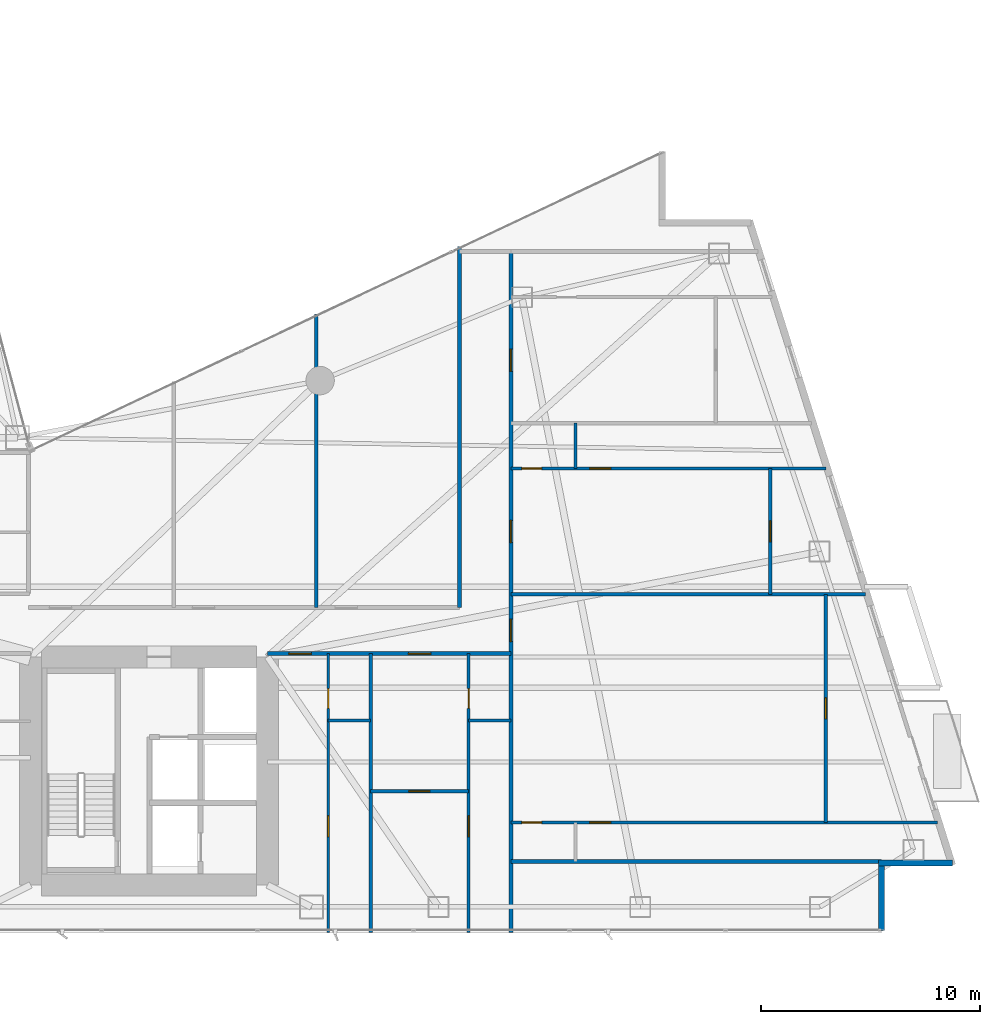
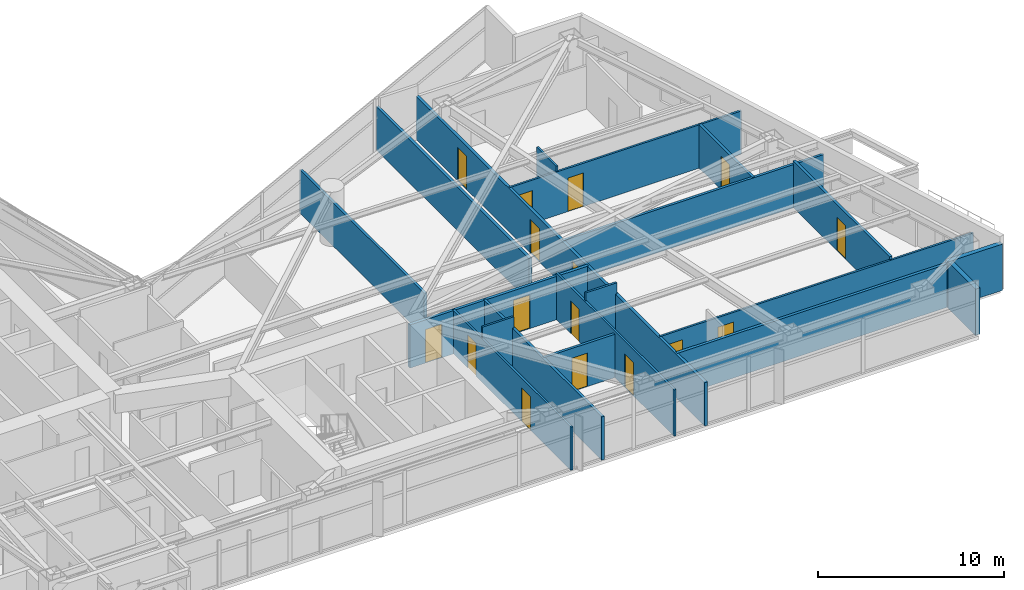
# One storey, part 24 of 30: 19 walls, 16 doors, 16 openings.
"""IFC4 building model written with IfcOpenShell, lengths in metres."""

from ifc_helpers import new_model, si_unit, direction, frame, frame_2d, origin, place, context, subcontext, project, spatial, rectangle, extrude, material, layer, layer_set, type_object, element, fill, save


model = new_model("IFC4")

# Units and contexts
model_context = context("Model", 3, precision=1e-05, world=origin(), true_north=direction((0.0, 1.0)))
body_context = subcontext(model_context, "Body", "Model", "MODEL_VIEW")
ifc_project = project(units=[si_unit("LENGTHUNIT", "METRE"), si_unit("AREAUNIT", "SQUARE_METRE"), si_unit("VOLUMEUNIT", "CUBIC_METRE"), si_unit("PLANEANGLEUNIT", "RADIAN"), si_unit("MASSUNIT", "GRAM", prefix="KILO")], contexts=[model_context])

# Site, building, storey
site_placement = place(None, origin())
site = spatial("IfcSite", under=ifc_project, at=site_placement, CompositionType="ELEMENT")
building_placement = place(site_placement, origin())
building = spatial("IfcBuilding", under=site, at=building_placement, Name="Calvorn Quay Hotel", CompositionType="ELEMENT")
storey_placement = place(building_placement, frame((0.0, 0.0, 77.39990234375)))
storey = spatial("IfcBuildingStorey", under=building, at=storey_placement, Name="L18", CompositionType="ELEMENT", Elevation=77.39990234375)

# Wall, openings, doors
ifc_material_1 = material(Name="Acoustic Fireboard Steel-Stud Partition", Category="steel")
ifc_layer_1 = layer(ifc_material_1, 0.179931640625)
ifc_layer_set_1 = layer_set([ifc_layer_1], Name="WL-CORR-FIRE-180")
wall_type_1 = type_object("IfcWallType", Name="WL-CORR-FIRE-180", PredefinedType="PARTITIONING", material=ifc_layer_set_1)
wall_1_placement = place(storey_placement, frame((32.39990234375, 15.14990234375, 0.0), z_axis=(0.0, 0.0, 1.0), x_axis=(1.0, 0.0, 0.0)))
wall_1 = element("IfcWall", 1, at=wall_1_placement, inside=storey, type_object=wall_type_1, Name="Partition Wall L18-WL-CORR-SE-S", PredefinedType="PARTITIONING", context=body_context, shape_type="SweptSolid", body=[
    extrude(rectangle(XDim=11.10009765625, YDim=0.179931640625, at=frame_2d((5.550048828125, 0.0))), origin(), (0.0, 0.0, 1.0), 2.840087890625),
])
opening_1_placement = place(wall_1_placement, frame((0.97998046875, 0.0, 0.0)))
opening_1 = element("IfcOpeningElement", 2, at=opening_1_placement, cuts=wall_1, Name="Opening D-L18-U06", PredefinedType="OPENING", context=body_context, shape_type="SweptSolid", body=[
    extrude(rectangle(XDim=1.02001953125, YDim=2.199951171875, at=frame_2d((0.510009765625, 1.10009765625))), frame((0.0, 0.099853515625, 0.0), z_axis=(0.0, -1.0, 0.0), x_axis=(1.0, 0.0, 0.0)), (0.0, 0.0, 1.0), 0.199951171875),
])
opening_2_placement = place(wall_1_placement, frame((6.429931640625, 0.0, 0.0)))
opening_2 = element("IfcOpeningElement", 3, at=opening_2_placement, cuts=wall_1, Name="Opening D-L18-U07", PredefinedType="OPENING", context=body_context, shape_type="SweptSolid", body=[
    extrude(rectangle(XDim=1.02001953125, YDim=2.199951171875, at=frame_2d((0.510009765625, 1.10009765625))), frame((0.0, 0.099853515625, 0.0), z_axis=(0.0, -1.0, 0.0), x_axis=(1.0, 0.0, 0.0)), (0.0, 0.0, 1.0), 0.199951171875),
])
ifc_material_2 = material(Name="Solid-Core Walnut Veneer Hotel Fire Door")
door_type_1 = type_object("IfcDoorType", Name="DR-GUEST-ENTRY-1020", OperationType="NOTDEFINED", PredefinedType="DOOR", material=ifc_material_2)
door_1_placement = place(opening_1_placement, origin())
door_1 = element("IfcDoor", 4, at=door_1_placement, inside=storey, type_object=door_type_1, Name="South-East Unit Door U06 (L18)", OperationType="SINGLE_SWING_LEFT", OverallHeight=2.199951171875, OverallWidth=1.02001953125, PredefinedType="DOOR", context=body_context, shape_type="SweptSolid", body=[
    extrude(rectangle(XDim=1.02001953125, YDim=2.199951171875, at=frame_2d((0.510009765625, 1.10009765625))), frame((0.0, 0.02490234375, 0.0), z_axis=(0.0, -1.0, 0.0), x_axis=(1.0, 0.0, 0.0)), (0.0, 0.0, 1.0), 0.050048828125),
])
fill(opening_1, door_1)
door_2_placement = place(opening_2_placement, origin())
door_2 = element("IfcDoor", 5, at=door_2_placement, inside=storey, type_object=door_type_1, Name="South-East Unit Door U07 (L18)", OperationType="SINGLE_SWING_RIGHT", OverallHeight=2.199951171875, OverallWidth=1.02001953125, PredefinedType="DOOR", context=body_context, shape_type="SweptSolid", body=[
    extrude(rectangle(XDim=1.02001953125, YDim=2.199951171875, at=frame_2d((0.510009765625, 1.10009765625))), frame((0.0, 0.02490234375, 0.0), z_axis=(0.0, -1.0, 0.0), x_axis=(1.0, 0.0, 0.0)), (0.0, 0.0, 1.0), 0.050048828125),
])
fill(opening_2, door_2)

# Walls
wall_2_placement = place(storey_placement, frame((41.14990234375, 17.25, 0.0), z_axis=(0.0, 0.0, 1.0), x_axis=(0.0, 1.0, 0.0)))
element("IfcWall", 6, at=wall_2_placement, inside=storey, type_object=wall_type_1, Name="Partition Wall L18-WL-NE-END-E", PredefinedType="PARTITIONING", context=body_context, shape_type="SweptSolid", body=[
    extrude(rectangle(XDim=16.4599609375, YDim=0.179931640625, at=frame_2d((8.22998046875, 0.0))), origin(), (0.0, 0.0, 1.0), 2.840087890625),
])
wall_3_placement = place(storey_placement, frame((43.5, 5.659912109375, 0.0), z_axis=(0.0, 0.0, 1.0), x_axis=(1.0, 0.0, 0.0)))
element("IfcWall", 7, at=wall_3_placement, inside=storey, type_object=wall_type_1, Name="Partition Wall L18-WL-TIP-S", PredefinedType="PARTITIONING", context=body_context, shape_type="SweptSolid", body=[
    extrude(rectangle(XDim=16.89990234375, YDim=0.179931640625, at=frame_2d((8.449951171875, 0.0))), origin(), (0.0, 0.0, 1.0), 2.840087890625),
])

# Wall, openings, doors
wall_4_placement = place(storey_placement, frame((43.5, 2.43994140625, 0.0), z_axis=(0.0, 0.0, 1.0), x_axis=(0.0, 1.0, 0.0)))
wall_4 = element("IfcWall", 8, at=wall_4_placement, inside=storey, type_object=wall_type_1, Name="Partition Wall L18-WL-CORR-TIP-E", PredefinedType="PARTITIONING", context=body_context, shape_type="SweptSolid", body=[
    extrude(rectangle(XDim=31.0400390625, YDim=0.179931640625, at=frame_2d((15.52001953125, 0.0))), origin(), (0.0, 0.0, 1.0), 2.840087890625),
])
opening_3_placement = place(wall_4_placement, frame((13.260009765625, 0.0, 0.0)))
opening_3 = element("IfcOpeningElement", 9, at=opening_3_placement, cuts=wall_4, Name="Opening D-L18-U08", PredefinedType="OPENING", context=body_context, shape_type="SweptSolid", body=[
    extrude(rectangle(XDim=1.02001953125, YDim=2.199951171875, at=frame_2d((0.510009765625, 1.10009765625))), frame((0.0, 0.099853515625, 0.0), z_axis=(0.0, -1.0, 0.0), x_axis=(1.0, 0.0, 0.0)), (0.0, 0.0, 1.0), 0.199951171875),
])
opening_4_placement = place(wall_4_placement, frame((17.77001953125, 0.0, 0.0)))
opening_4 = element("IfcOpeningElement", 10, at=opening_4_placement, cuts=wall_4, Name="Opening D-L18-U09", PredefinedType="OPENING", context=body_context, shape_type="SweptSolid", body=[
    extrude(rectangle(XDim=1.02001953125, YDim=2.199951171875, at=frame_2d((0.510009765625, 1.10009765625))), frame((0.0, 0.099853515625, 0.0), z_axis=(0.0, -1.0, 0.0), x_axis=(1.0, 0.0, 0.0)), (0.0, 0.0, 1.0), 0.199951171875),
])
opening_5_placement = place(wall_4_placement, frame((25.580078125, 0.0, 0.0)))
opening_5 = element("IfcOpeningElement", 11, at=opening_5_placement, cuts=wall_4, Name="Opening D-L18-U10", PredefinedType="OPENING", context=body_context, shape_type="SweptSolid", body=[
    extrude(rectangle(XDim=1.02001953125, YDim=2.199951171875, at=frame_2d((0.510009765625, 1.10009765625))), frame((0.0, 0.099853515625, 0.0), z_axis=(0.0, -1.0, 0.0), x_axis=(1.0, 0.0, 0.0)), (0.0, 0.0, 1.0), 0.199951171875),
])
door_3_placement = place(opening_3_placement, origin())
door_3 = element("IfcDoor", 12, at=door_3_placement, inside=storey, type_object=door_type_1, Name="Terrace Suite Door U08 (L18)", OperationType="SINGLE_SWING_LEFT", OverallHeight=2.199951171875, OverallWidth=1.02001953125, PredefinedType="DOOR", context=body_context, shape_type="SweptSolid", body=[
    extrude(rectangle(XDim=1.02001953125, YDim=2.199951171875, at=frame_2d((0.510009765625, 1.10009765625))), frame((0.0, 0.02490234375, 0.0), z_axis=(0.0, -1.0, 0.0), x_axis=(1.0, 0.0, 0.0)), (0.0, 0.0, 1.0), 0.050048828125),
])
fill(opening_3, door_3)
door_4_placement = place(opening_4_placement, origin())
door_4 = element("IfcDoor", 13, at=door_4_placement, inside=storey, type_object=door_type_1, Name="Mid-East Suite Door U09 (L18)", OperationType="SINGLE_SWING_RIGHT", OverallHeight=2.199951171875, OverallWidth=1.02001953125, PredefinedType="DOOR", context=body_context, shape_type="SweptSolid", body=[
    extrude(rectangle(XDim=1.02001953125, YDim=2.199951171875, at=frame_2d((0.510009765625, 1.10009765625))), frame((0.0, 0.02490234375, 0.0), z_axis=(0.0, -1.0, 0.0), x_axis=(1.0, 0.0, 0.0)), (0.0, 0.0, 1.0), 0.050048828125),
])
fill(opening_4, door_4)
door_5_placement = place(opening_5_placement, origin())
door_5 = element("IfcDoor", 14, at=door_5_placement, inside=storey, type_object=door_type_1, Name="Horizon Suite Door U10 (L18)", OperationType="SINGLE_SWING_LEFT", OverallHeight=2.199951171875, OverallWidth=1.02001953125, PredefinedType="DOOR", context=body_context, shape_type="SweptSolid", body=[
    extrude(rectangle(XDim=1.02001953125, YDim=2.199951171875, at=frame_2d((0.510009765625, 1.10009765625))), frame((0.0, 0.02490234375, 0.0), z_axis=(0.0, -1.0, 0.0), x_axis=(1.0, 0.0, 0.0)), (0.0, 0.0, 1.0), 0.050048828125),
])
fill(opening_5, door_5)

# Wall
ifc_material_3 = material(Name="Moisture-Resistant Tile-Backed Partition")
ifc_layer_2 = layer(ifc_material_3, 0.125)
ifc_layer_set_2 = layer_set([ifc_layer_2], Name="WL-ENSUITE-125")
wall_type_2 = type_object("IfcWallType", Name="WL-ENSUITE-125", PredefinedType="PARTITIONING", material=ifc_layer_set_2)
wall_5_placement = place(storey_placement, frame((35.169921875, 12.10009765625, 0.0), z_axis=(0.0, 0.0, 1.0), x_axis=(1.0, 0.0, 0.0)))
element("IfcWall", 15, at=wall_5_placement, inside=storey, type_object=wall_type_2, Name="Partition Wall L18-WL-U06-BDV", PredefinedType="PARTITIONING", context=body_context, shape_type="SweptSolid", body=[
    extrude(rectangle(XDim=1.93017578125, YDim=0.125, at=frame_2d((0.965087890625, 0.0))), origin(), (0.0, 0.0, 1.0), 3.56005859375),
])

# Wall, openings, doors
wall_6_placement = place(storey_placement, frame((35.169921875, 2.43994140625, 0.0), z_axis=(0.0, 0.0, 1.0), x_axis=(0.0, 1.0, 0.0)))
wall_6 = element("IfcWall", 16, at=wall_6_placement, inside=storey, type_object=wall_type_2, Name="Partition Wall L18-WL-U06-BV", PredefinedType="PARTITIONING", context=body_context, shape_type="SweptSolid", body=[
    extrude(rectangle(XDim=12.7099609375, YDim=0.125, at=frame_2d((6.35498046875, 0.0))), origin(), (0.0, 0.0, 1.0), 2.840087890625),
])
opening_6_placement = place(wall_6_placement, frame((4.35009765625, 0.0, 0.0)))
opening_6 = element("IfcOpeningElement", 17, at=opening_6_placement, cuts=wall_6, Name="Opening D-L18-S06", PredefinedType="OPENING", context=body_context, shape_type="SweptSolid", body=[
    extrude(rectangle(XDim=0.9599609375, YDim=2.199951171875, at=frame_2d((0.47998046875, 1.10009765625))), frame((0.0, 0.072509765625, 0.0), z_axis=(0.0, -1.0, 0.0), x_axis=(1.0, 0.0, 0.0)), (0.0, 0.0, 1.0), 0.14501953125),
])
opening_7_placement = place(wall_6_placement, frame((10.2099609375, 0.0, 0.0)))
opening_7 = element("IfcOpeningElement", 18, at=opening_7_placement, cuts=wall_6, Name="Opening D-L18-E06", PredefinedType="OPENING", context=body_context, shape_type="SweptSolid", body=[
    extrude(rectangle(XDim=0.89990234375, YDim=2.14990234375, at=frame_2d((0.449951171875, 1.074951171875))), frame((0.0, 0.072509765625, 0.0), z_axis=(0.0, -1.0, 0.0), x_axis=(1.0, 0.0, 0.0)), (0.0, 0.0, 1.0), 0.14501953125),
])
ifc_material_4 = material(Name="Moisture-Sealed Timber En-Suite Door", Category="wood")
door_type_2 = type_object("IfcDoorType", Name="DR-ENSUITE-900", OperationType="NOTDEFINED", PredefinedType="DOOR", material=ifc_material_4)
door_6_placement = place(opening_7_placement, origin())
door_6 = element("IfcDoor", 19, at=door_6_placement, inside=storey, type_object=door_type_2, Name="En-Suite Door 06", OperationType="SINGLE_SWING_RIGHT", OverallHeight=2.14990234375, OverallWidth=0.89990234375, PredefinedType="DOOR", context=body_context, shape_type="SweptSolid", body=[
    extrude(rectangle(XDim=0.89990234375, YDim=2.14990234375, at=frame_2d((0.449951171875, 1.074951171875))), frame((0.0, 0.02490234375, 0.0), z_axis=(0.0, -1.0, 0.0), x_axis=(1.0, 0.0, 0.0)), (0.0, 0.0, 1.0), 0.050048828125),
])
fill(opening_7, door_6)
ifc_material_5 = material(Name="Solid Timber Internal Suite Door", Category="wood")
door_type_3 = type_object("IfcDoorType", Name="DR-SUITE-INT-960", OperationType="NOTDEFINED", PredefinedType="DOOR", material=ifc_material_5)
door_7_placement = place(opening_6_placement, origin())
door_7 = element("IfcDoor", 20, at=door_7_placement, inside=storey, type_object=door_type_3, Name="Botanical Winter Garden Door 06", OperationType="SINGLE_SWING_LEFT", OverallHeight=2.199951171875, OverallWidth=0.9599609375, PredefinedType="DOOR", context=body_context, shape_type="SweptSolid", body=[
    extrude(rectangle(XDim=0.9599609375, YDim=2.199951171875, at=frame_2d((0.47998046875, 1.10009765625))), frame((0.0, 0.02490234375, 0.0), z_axis=(0.0, -1.0, 0.0), x_axis=(1.0, 0.0, 0.0)), (0.0, 0.0, 1.0), 0.050048828125),
])
fill(opening_6, door_7)

# Wall
wall_7_placement = place(storey_placement, frame((41.570068359375, 12.10009765625, 0.0), z_axis=(0.0, 0.0, 1.0), x_axis=(1.0, 0.0, 0.0)))
element("IfcWall", 21, at=wall_7_placement, inside=storey, type_object=wall_type_2, Name="Partition Wall L18-WL-U07-BDV", PredefinedType="PARTITIONING", context=body_context, shape_type="SweptSolid", body=[
    extrude(rectangle(XDim=1.929931640625, YDim=0.125, at=frame_2d((0.96484375, 0.0))), origin(), (0.0, 0.0, 1.0), 3.56005859375),
])

# Wall, openings, doors
wall_8_placement = place(storey_placement, frame((41.570068359375, 2.43994140625, 0.0), z_axis=(0.0, 0.0, 1.0), x_axis=(0.0, 1.0, 0.0)))
wall_8 = element("IfcWall", 22, at=wall_8_placement, inside=storey, type_object=wall_type_2, Name="Partition Wall L18-WL-U07-BV", PredefinedType="PARTITIONING", context=body_context, shape_type="SweptSolid", body=[
    extrude(rectangle(XDim=12.7099609375, YDim=0.125, at=frame_2d((6.35498046875, 0.0))), origin(), (0.0, 0.0, 1.0), 3.0400390625),
])
opening_8_placement = place(wall_8_placement, frame((4.35009765625, 0.0, 0.0)))
opening_8 = element("IfcOpeningElement", 23, at=opening_8_placement, cuts=wall_8, Name="Opening D-L18-S07", PredefinedType="OPENING", context=body_context, shape_type="SweptSolid", body=[
    extrude(rectangle(XDim=0.9599609375, YDim=2.199951171875, at=frame_2d((0.47998046875, 1.10009765625))), frame((0.0, 0.072509765625, 0.0), z_axis=(0.0, -1.0, 0.0), x_axis=(1.0, 0.0, 0.0)), (0.0, 0.0, 1.0), 0.14501953125),
])
opening_9_placement = place(wall_8_placement, frame((10.2099609375, 0.0, 0.0)))
opening_9 = element("IfcOpeningElement", 24, at=opening_9_placement, cuts=wall_8, Name="Opening D-L18-E07", PredefinedType="OPENING", context=body_context, shape_type="SweptSolid", body=[
    extrude(rectangle(XDim=0.89990234375, YDim=2.14990234375, at=frame_2d((0.449951171875, 1.074951171875))), frame((0.0, 0.072509765625, 0.0), z_axis=(0.0, -1.0, 0.0), x_axis=(1.0, 0.0, 0.0)), (0.0, 0.0, 1.0), 0.14501953125),
])
door_8_placement = place(opening_9_placement, origin())
door_8 = element("IfcDoor", 25, at=door_8_placement, inside=storey, type_object=door_type_2, Name="En-Suite Door 07", OperationType="SINGLE_SWING_RIGHT", OverallHeight=2.14990234375, OverallWidth=0.89990234375, PredefinedType="DOOR", context=body_context, shape_type="SweptSolid", body=[
    extrude(rectangle(XDim=0.89990234375, YDim=2.14990234375, at=frame_2d((0.449951171875, 1.074951171875))), frame((0.0, 0.02490234375, 0.0), z_axis=(0.0, -1.0, 0.0), x_axis=(1.0, 0.0, 0.0)), (0.0, 0.0, 1.0), 0.050048828125),
])
fill(opening_9, door_8)
door_9_placement = place(opening_8_placement, origin())
door_9 = element("IfcDoor", 26, at=door_9_placement, inside=storey, type_object=door_type_3, Name="Botanical Winter Garden Door 07", OperationType="SINGLE_SWING_LEFT", OverallHeight=2.199951171875, OverallWidth=0.9599609375, PredefinedType="DOOR", context=body_context, shape_type="SweptSolid", body=[
    extrude(rectangle(XDim=0.9599609375, YDim=2.199951171875, at=frame_2d((0.47998046875, 1.10009765625))), frame((0.0, 0.02490234375, 0.0), z_axis=(0.0, -1.0, 0.0), x_axis=(1.0, 0.0, 0.0)), (0.0, 0.0, 1.0), 0.050048828125),
])
fill(opening_8, door_9)

wall_9_placement = place(storey_placement, frame((43.5, 7.449951171875, 0.0), z_axis=(0.0, 0.0, 1.0), x_axis=(1.0, 0.0, 0.0)))
wall_9 = element("IfcWall", 27, at=wall_9_placement, inside=storey, type_object=wall_type_2, Name="Partition Wall L18-WL-U08-BH", PredefinedType="PARTITIONING", context=body_context, shape_type="SweptSolid", body=[
    extrude(rectangle(XDim=19.4599609375, YDim=0.125, at=frame_2d((9.72998046875, 0.0))), origin(), (0.0, 0.0, 1.0), 2.840087890625),
])
opening_10_placement = place(wall_9_placement, frame((0.5, 0.0, 0.0)))
opening_10 = element("IfcOpeningElement", 28, at=opening_10_placement, cuts=wall_9, Name="Opening D-L18-E08", PredefinedType="OPENING", context=body_context, shape_type="SweptSolid", body=[
    extrude(rectangle(XDim=0.89990234375, YDim=2.14990234375, at=frame_2d((0.449951171875, 1.074951171875))), frame((0.0, 0.072509765625, 0.0), z_axis=(0.0, -1.0, 0.0), x_axis=(1.0, 0.0, 0.0)), (0.0, 0.0, 1.0), 0.14501953125),
])
opening_11_placement = place(wall_9_placement, frame((3.60009765625, 0.0, 0.0)))
opening_11 = element("IfcOpeningElement", 29, at=opening_11_placement, cuts=wall_9, Name="Opening D-L18-S08", PredefinedType="OPENING", context=body_context, shape_type="SweptSolid", body=[
    extrude(rectangle(XDim=0.9599609375, YDim=2.199951171875, at=frame_2d((0.47998046875, 1.10009765625))), frame((0.0, 0.072509765625, 0.0), z_axis=(0.0, -1.0, 0.0), x_axis=(1.0, 0.0, 0.0)), (0.0, 0.0, 1.0), 0.14501953125),
])
door_10_placement = place(opening_10_placement, origin())
door_10 = element("IfcDoor", 30, at=door_10_placement, inside=storey, type_object=door_type_2, Name="En-Suite Door 08", OperationType="SINGLE_SWING_LEFT", OverallHeight=2.14990234375, OverallWidth=0.89990234375, PredefinedType="DOOR", context=body_context, shape_type="SweptSolid", body=[
    extrude(rectangle(XDim=0.89990234375, YDim=2.14990234375, at=frame_2d((0.449951171875, 1.074951171875))), frame((0.0, 0.02490234375, 0.0), z_axis=(0.0, -1.0, 0.0), x_axis=(1.0, 0.0, 0.0)), (0.0, 0.0, 1.0), 0.050048828125),
])
fill(opening_10, door_10)
door_11_placement = place(opening_11_placement, origin())
door_11 = element("IfcDoor", 31, at=door_11_placement, inside=storey, type_object=door_type_3, Name="Botanical Winter Garden Door 08", OperationType="SINGLE_SWING_RIGHT", OverallHeight=2.199951171875, OverallWidth=0.9599609375, PredefinedType="DOOR", context=body_context, shape_type="SweptSolid", body=[
    extrude(rectangle(XDim=0.9599609375, YDim=2.199951171875, at=frame_2d((0.47998046875, 1.10009765625))), frame((0.0, 0.02490234375, 0.0), z_axis=(0.0, -1.0, 0.0), x_axis=(1.0, 0.0, 0.0)), (0.0, 0.0, 1.0), 0.050048828125),
])
fill(opening_11, door_11)

# Wall
wall_10_placement = place(storey_placement, frame((46.449951171875, 23.590087890625, 0.0), z_axis=(0.0, 0.0, 1.0), x_axis=(0.0, 1.0, 0.0)))
element("IfcWall", 32, at=wall_10_placement, inside=storey, type_object=wall_type_2, Name="Partition Wall L18-WL-U09-BDV", PredefinedType="PARTITIONING", context=body_context, shape_type="SweptSolid", body=[
    extrude(rectangle(XDim=2.06982421875, YDim=0.125, at=frame_2d((1.034912109375, 0.0))), origin(), (0.0, 0.0, 1.0), 3.190185546875),
])

# Wall, openings, doors
wall_11_placement = place(storey_placement, frame((43.5, 23.590087890625, 0.0), z_axis=(0.0, 0.0, 1.0), x_axis=(1.0, 0.0, 0.0)))
wall_11 = element("IfcWall", 33, at=wall_11_placement, inside=storey, type_object=wall_type_2, Name="Partition Wall L18-WL-U09-BH", PredefinedType="PARTITIONING", context=body_context, shape_type="SweptSolid", body=[
    extrude(rectangle(XDim=14.3701171875, YDim=0.125, at=frame_2d((7.18505859375, 0.0))), origin(), (0.0, 0.0, 1.0), 2.840087890625),
])
opening_12_placement = place(wall_11_placement, frame((0.5, 0.0, 0.0)))
opening_12 = element("IfcOpeningElement", 34, at=opening_12_placement, cuts=wall_11, Name="Opening D-L18-E09", PredefinedType="OPENING", context=body_context, shape_type="SweptSolid", body=[
    extrude(rectangle(XDim=0.89990234375, YDim=2.14990234375, at=frame_2d((0.449951171875, 1.074951171875))), frame((0.0, 0.072509765625, 0.0), z_axis=(0.0, -1.0, 0.0), x_axis=(1.0, 0.0, 0.0)), (0.0, 0.0, 1.0), 0.14501953125),
])
opening_13_placement = place(wall_11_placement, frame((3.60009765625, 0.0, 0.0)))
opening_13 = element("IfcOpeningElement", 35, at=opening_13_placement, cuts=wall_11, Name="Opening D-L18-S09", PredefinedType="OPENING", context=body_context, shape_type="SweptSolid", body=[
    extrude(rectangle(XDim=0.9599609375, YDim=2.199951171875, at=frame_2d((0.47998046875, 1.10009765625))), frame((0.0, 0.072509765625, 0.0), z_axis=(0.0, -1.0, 0.0), x_axis=(1.0, 0.0, 0.0)), (0.0, 0.0, 1.0), 0.14501953125),
])
door_12_placement = place(opening_12_placement, origin())
door_12 = element("IfcDoor", 36, at=door_12_placement, inside=storey, type_object=door_type_2, Name="En-Suite Door 09", OperationType="SINGLE_SWING_LEFT", OverallHeight=2.14990234375, OverallWidth=0.89990234375, PredefinedType="DOOR", context=body_context, shape_type="SweptSolid", body=[
    extrude(rectangle(XDim=0.89990234375, YDim=2.14990234375, at=frame_2d((0.449951171875, 1.074951171875))), frame((0.0, 0.02490234375, 0.0), z_axis=(0.0, -1.0, 0.0), x_axis=(1.0, 0.0, 0.0)), (0.0, 0.0, 1.0), 0.050048828125),
])
fill(opening_12, door_12)
door_13_placement = place(opening_13_placement, origin())
door_13 = element("IfcDoor", 37, at=door_13_placement, inside=storey, type_object=door_type_3, Name="Botanical Winter Garden Door 09", OperationType="SINGLE_SWING_RIGHT", OverallHeight=2.199951171875, OverallWidth=0.9599609375, PredefinedType="DOOR", context=body_context, shape_type="SweptSolid", body=[
    extrude(rectangle(XDim=0.9599609375, YDim=2.199951171875, at=frame_2d((0.47998046875, 1.10009765625))), frame((0.0, 0.02490234375, 0.0), z_axis=(0.0, -1.0, 0.0), x_axis=(1.0, 0.0, 0.0)), (0.0, 0.0, 1.0), 0.050048828125),
])
fill(opening_13, door_13)

# Walls
ifc_material_6 = material(Name="Concrete C40", Category="concrete")
ifc_layer_3 = layer(ifc_material_6, 0.320068359375)
ifc_layer_set_3 = layer_set([ifc_layer_3], Name="WL-EXT-SPANDREL-320")
wall_type_3 = type_object("IfcWallType", Name="WL-EXT-SPANDREL-320", PredefinedType="SOLIDWALL", material=ifc_layer_set_3)
wall_12_placement = place(storey_placement, frame((60.39990234375, 2.52001953125, 0.0), z_axis=(0.0, 0.0, 1.0), x_axis=(0.0, 1.0, 0.0)))
element("IfcWall", 38, at=wall_12_placement, inside=storey, type_object=wall_type_3, Name="Notched Corner Spandrel L18-SE1", PredefinedType="SOLIDWALL", context=body_context, shape_type="SweptSolid", body=[
    extrude(rectangle(XDim=2.93994140625, YDim=0.280029296875, at=frame_2d((1.469970703125, 0.0))), origin(), (0.0, 0.0, 1.0), 3.0400390625),
])
wall_13_placement = place(storey_placement, frame((60.260009765625, 5.60009765625, 0.0), z_axis=(0.0, 0.0, 1.0), x_axis=(1.0, 0.0, 0.0)))
element("IfcWall", 39, at=wall_13_placement, inside=storey, type_object=wall_type_3, Name="Notched Corner Spandrel L18-SE2", PredefinedType="SOLIDWALL", context=body_context, shape_type="SweptSolid", body=[
    extrude(rectangle(XDim=3.3798828125, YDim=0.280029296875, at=frame_2d((1.68994140625, 0.0))), origin(), (0.0, 0.0, 1.0), 3.0400390625),
])

# Wall, opening, door
ifc_material_7 = material(Name="Double-Stud Acoustic Gypsum Partition")
ifc_layer_4 = layer(ifc_material_7, 0.159912109375)
ifc_layer_set_4 = layer_set([ifc_layer_4], Name="WL-INTERSUITE-160")
wall_type_4 = type_object("IfcWallType", Name="WL-INTERSUITE-160", PredefinedType="PARTITIONING", material=ifc_layer_set_4)
wall_14_placement = place(storey_placement, frame((37.10009765625, 8.8798828125, 0.0), z_axis=(0.0, 0.0, 1.0), x_axis=(1.0, 0.0, 0.0)))
wall_14 = element("IfcWall", 40, at=wall_14_placement, inside=storey, type_object=wall_type_4, Name="Partition Wall L18-WL-U07-MSP", PredefinedType="PARTITIONING", context=body_context, shape_type="SweptSolid", body=[
    extrude(rectangle(XDim=4.469970703125, YDim=0.159912109375, at=frame_2d((2.23486328125, 0.0))), origin(), (0.0, 0.0, 1.0), 2.840087890625),
])
opening_14_placement = place(wall_14_placement, frame((1.75, 0.0, 0.0)))
opening_14 = element("IfcOpeningElement", 41, at=opening_14_placement, cuts=wall_14, Name="Opening D-L18-M07", PredefinedType="OPENING", context=body_context, shape_type="SweptSolid", body=[
    extrude(rectangle(XDim=0.9599609375, YDim=2.199951171875, at=frame_2d((0.47998046875, 1.10009765625))), frame((0.0, 0.08984375, 0.0), z_axis=(0.0, -1.0, 0.0), x_axis=(1.0, 0.0, 0.0)), (0.0, 0.0, 1.0), 0.179931640625),
])
door_14_placement = place(opening_14_placement, origin())
door_14 = element("IfcDoor", 42, at=door_14_placement, inside=storey, type_object=door_type_3, Name="Suite Bedroom Door 07", OperationType="SINGLE_SWING_LEFT", OverallHeight=2.199951171875, OverallWidth=0.9599609375, PredefinedType="DOOR", context=body_context, shape_type="SweptSolid", body=[
    extrude(rectangle(XDim=0.9599609375, YDim=2.199951171875, at=frame_2d((0.47998046875, 1.10009765625))), frame((0.0, 0.02490234375, 0.0), z_axis=(0.0, -1.0, 0.0), x_axis=(1.0, 0.0, 0.0)), (0.0, 0.0, 1.0), 0.050048828125),
])
fill(opening_14, door_14)

# Walls
wall_15_placement = place(storey_placement, frame((37.10009765625, 2.43994140625, 0.0), z_axis=(0.0, 0.0, 1.0), x_axis=(0.0, 1.0, 0.0)))
element("IfcWall", 43, at=wall_15_placement, inside=storey, type_object=wall_type_4, Name="Partition Wall L18-WL-SE-DIV-1", PredefinedType="PARTITIONING", context=body_context, shape_type="SweptSolid", body=[
    extrude(rectangle(XDim=12.7099609375, YDim=0.159912109375, at=frame_2d((6.35498046875, 0.0))), origin(), (0.0, 0.0, 1.0), 2.840087890625),
])
wall_16_placement = place(storey_placement, frame((34.6298828125, 17.25, 0.0), z_axis=(0.0, 0.0, 1.0), x_axis=(0.0, 1.0, 0.0)))
element("IfcWall", 44, at=wall_16_placement, inside=storey, type_object=wall_type_4, Name="Partition Wall L18-WL-NE-DIV-2", PredefinedType="PARTITIONING", context=body_context, shape_type="SweptSolid", body=[
    extrude(rectangle(XDim=13.3798828125, YDim=0.159912109375, at=frame_2d((6.68994140625, 0.0))), origin(), (0.0, 0.0, 1.0), 2.840087890625),
])

# Wall, opening, door
wall_17_placement = place(storey_placement, frame((57.860107421875, 7.449951171875, 0.0), z_axis=(0.0, 0.0, 1.0), x_axis=(0.0, 1.0, 0.0)))
wall_17 = element("IfcWall", 45, at=wall_17_placement, inside=storey, type_object=wall_type_4, Name="Partition Wall L18-WL-U08-MSP", PredefinedType="PARTITIONING", context=body_context, shape_type="SweptSolid", body=[
    extrude(rectangle(XDim=10.400146484375, YDim=0.159912109375, at=frame_2d((5.2001953125, 0.0))), origin(), (0.0, 0.0, 1.0), 3.0400390625),
])
opening_15_placement = place(wall_17_placement, frame((4.719970703125, 0.0, 0.0)))
opening_15 = element("IfcOpeningElement", 46, at=opening_15_placement, cuts=wall_17, Name="Opening D-L18-M08", PredefinedType="OPENING", context=body_context, shape_type="SweptSolid", body=[
    extrude(rectangle(XDim=0.9599609375, YDim=2.199951171875, at=frame_2d((0.47998046875, 1.10009765625))), frame((0.0, 0.08984375, 0.0), z_axis=(0.0, -1.0, 0.0), x_axis=(1.0, 0.0, 0.0)), (0.0, 0.0, 1.0), 0.179931640625),
])
door_15_placement = place(opening_15_placement, origin())
door_15 = element("IfcDoor", 47, at=door_15_placement, inside=storey, type_object=door_type_3, Name="Suite Bedroom Door 08", OperationType="SINGLE_SWING_LEFT", OverallHeight=2.199951171875, OverallWidth=0.9599609375, PredefinedType="DOOR", context=body_context, shape_type="SweptSolid", body=[
    extrude(rectangle(XDim=0.9599609375, YDim=2.199951171875, at=frame_2d((0.47998046875, 1.10009765625))), frame((0.0, 0.02490234375, 0.0), z_axis=(0.0, -1.0, 0.0), x_axis=(1.0, 0.0, 0.0)), (0.0, 0.0, 1.0), 0.050048828125),
])
fill(opening_15, door_15)

wall_18_placement = place(storey_placement, frame((55.320068359375, 17.85009765625, 0.0), z_axis=(0.0, 0.0, 1.0), x_axis=(0.0, 1.0, 0.0)))
wall_18 = element("IfcWall", 48, at=wall_18_placement, inside=storey, type_object=wall_type_4, Name="Partition Wall L18-WL-U09-MSP", PredefinedType="PARTITIONING", context=body_context, shape_type="SweptSolid", body=[
    extrude(rectangle(XDim=5.739990234375, YDim=0.159912109375, at=frame_2d((2.8701171875, 0.0))), origin(), (0.0, 0.0, 1.0), 2.840087890625),
])
opening_16_placement = place(wall_18_placement, frame((2.389892578125, 0.0, 0.0)))
opening_16 = element("IfcOpeningElement", 49, at=opening_16_placement, cuts=wall_18, Name="Opening D-L18-M09", PredefinedType="OPENING", context=body_context, shape_type="SweptSolid", body=[
    extrude(rectangle(XDim=0.9599609375, YDim=2.199951171875, at=frame_2d((0.47998046875, 1.10009765625))), frame((0.0, 0.08984375, 0.0), z_axis=(0.0, -1.0, 0.0), x_axis=(1.0, 0.0, 0.0)), (0.0, 0.0, 1.0), 0.179931640625),
])
door_16_placement = place(opening_16_placement, origin())
door_16 = element("IfcDoor", 50, at=door_16_placement, inside=storey, type_object=door_type_3, Name="Suite Bedroom Door 09", OperationType="SINGLE_SWING_LEFT", OverallHeight=2.199951171875, OverallWidth=0.9599609375, PredefinedType="DOOR", context=body_context, shape_type="SweptSolid", body=[
    extrude(rectangle(XDim=0.9599609375, YDim=2.199951171875, at=frame_2d((0.47998046875, 1.10009765625))), frame((0.0, 0.02490234375, 0.0), z_axis=(0.0, -1.0, 0.0), x_axis=(1.0, 0.0, 0.0)), (0.0, 0.0, 1.0), 0.050048828125),
])
fill(opening_16, door_16)

# Wall
wall_19_placement = place(storey_placement, frame((43.5, 17.85009765625, 0.0), z_axis=(0.0, 0.0, 1.0), x_axis=(1.0, 0.0, 0.0)))
element("IfcWall", 51, at=wall_19_placement, inside=storey, type_object=wall_type_4, Name="Partition Wall L18-WL-TIP-DIV", PredefinedType="PARTITIONING", context=body_context, shape_type="SweptSolid", body=[
    extrude(rectangle(XDim=16.179931640625, YDim=0.159912109375, at=frame_2d((8.08984375, 0.0))), origin(), (0.0, 0.0, 1.0), 2.840087890625),
])

save(model, "model.ifc")
